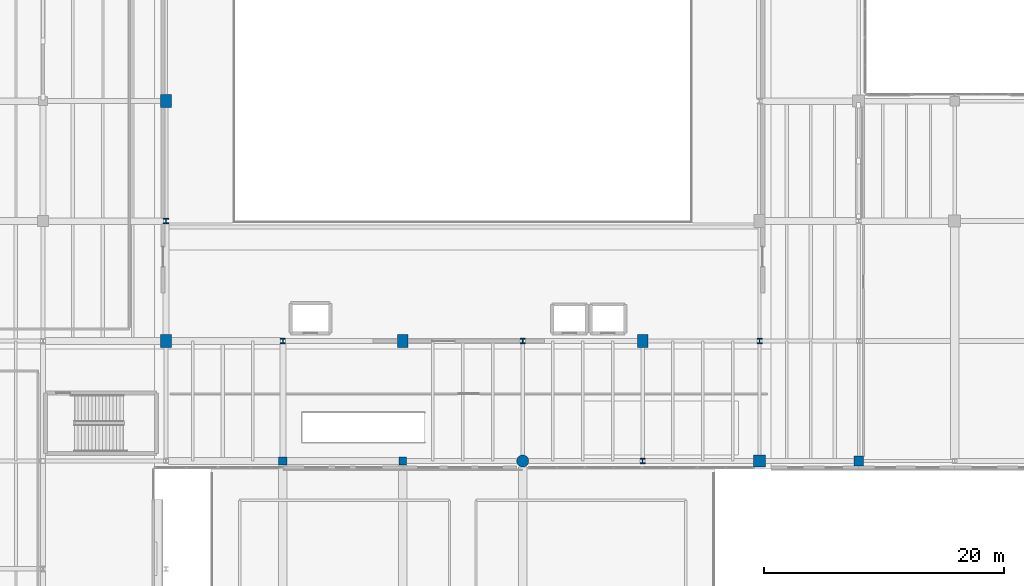
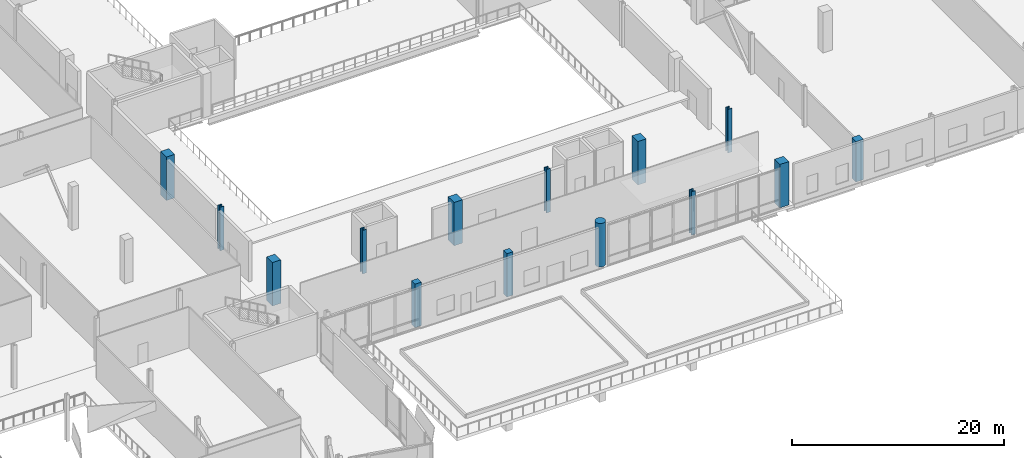
# One storey, part 4 of 60: 14 columns.
"""IFC4 building model written with IfcOpenShell, lengths in metres."""

from ifc_helpers import new_model, si_unit, direction, frame, origin, origin_2d, place, context, subcontext, project, spatial, rectangle, circle, i_section, extrude, material, material_profile, profile_set, type_object, element, save


model = new_model("IFC4")

# Units and contexts
model_context = context("Model", 3, precision=1e-05, world=origin(), true_north=direction((0.0, 1.0)))
body_context = subcontext(model_context, "Body", "Model", "MODEL_VIEW")
ifc_project = project(units=[si_unit("LENGTHUNIT", "METRE"), si_unit("AREAUNIT", "SQUARE_METRE"), si_unit("VOLUMEUNIT", "CUBIC_METRE"), si_unit("PLANEANGLEUNIT", "RADIAN"), si_unit("MASSUNIT", "GRAM", prefix="KILO")], contexts=[model_context])

# Site, building, storey
site_placement = place(None, origin())
site = spatial("IfcSite", under=ifc_project, at=site_placement, CompositionType="ELEMENT")
building_placement = place(site_placement, origin())
building = spatial("IfcBuilding", under=site, at=building_placement, Name="Trimount Lyric Opera House", CompositionType="ELEMENT")
storey_placement = place(building_placement, frame((0.0, 0.0, 15.0)))
storey = spatial("IfcBuildingStorey", under=building, at=storey_placement, Name="L03", CompositionType="ELEMENT", Elevation=15.0)

# Columns
ifc_material_1 = material(Name="Steel ASTM A992 Grade 50", Category="steel")
ifc_material_profile_1 = material_profile(ifc_material_1, i_section(OverallWidth=0.422119140625, OverallDepth=0.465087890625, WebThickness=0.044921875, FlangeThickness=0.072509765625, FilletRadius=0.02001953125, at=origin_2d()), Name="W14X398")
ifc_profile_set_1 = profile_set([ifc_material_profile_1], Name="Steel ASTM A992 Grade 50")
column_type_1 = type_object("IfcColumnType", Name="C-01", PredefinedType="COLUMN", material=ifc_profile_set_1)
for number, where, z_axis, x_axis, name in (
    (1, (64.260009765625, 64.0, 0.0), (0.0, 0.0, 1.0), (1.0, 0.0, 0.0), "L03 column 8/H"),
    (2, (74.0, 54.0, 0.0), (0.0, 0.0, 1.0), (1.0, 0.0, 0.0), "L03 column 9/G"),
    (3, (94.0, 54.0, 0.0), (0.0, 0.0, 1.0), (1.0, 0.0, 0.0), "L03 column 11/G"),
    (4, (113.739990234375, 54.0, 0.0), (0.0, 0.0, 1.0), (1.0, 0.0, 0.0), "L03 column 13/G"),
):
    element("IfcColumn", number, at=place(storey_placement, frame(where, z_axis=z_axis, x_axis=x_axis)), inside=storey, type_object=column_type_1, Name=name, PredefinedType="COLUMN", context=body_context, shape_type="SweptSolid", body=[
        extrude(i_section(OverallWidth=0.422119140625, OverallDepth=0.465087890625, WebThickness=0.044921875, FlangeThickness=0.072509765625, FilletRadius=0.02001953125, at=origin_2d()), origin(), (0.0, 0.0, 1.0), 5.0),
    ])
ifc_material_2 = material(Name="Steel ASTM A992 Grade 50", Category="steel")
ifc_material_profile_2 = material_profile(ifc_material_2, i_section(OverallWidth=0.422119140625, OverallDepth=0.465087890625, WebThickness=0.044921875, FlangeThickness=0.072509765625, FilletRadius=0.02001953125, at=origin_2d()), Name="W14X398")
ifc_profile_set_2 = profile_set([ifc_material_profile_2], Name="Steel ASTM A992 Grade 50")
column_type_2 = type_object("IfcColumnType", Name="C-10", PredefinedType="COLUMN", material=ifc_profile_set_2)
column_1_placement = place(storey_placement, frame((104.0, 44.0, 0.0), z_axis=(0.0, 0.0, 1.0), x_axis=(1.0, 0.0, 0.0)))
element("IfcColumn", 5, at=column_1_placement, inside=storey, type_object=column_type_2, Name="L03 column 12/F", PredefinedType="COLUMN", context=body_context, shape_type="SweptSolid", body=[
    extrude(i_section(OverallWidth=0.422119140625, OverallDepth=0.465087890625, WebThickness=0.044921875, FlangeThickness=0.072509765625, FilletRadius=0.02001953125, at=origin_2d()), origin(), (0.0, 0.0, 1.0), 5.0),
])
ifc_material_3 = material(Name="Concrete C50/60", Category="concrete")
ifc_material_profile_3 = material_profile(ifc_material_3, rectangle(XDim=0.89990234375, YDim=1.10009765625, at=origin_2d()), Name="RC1100X900")
ifc_profile_set_3 = profile_set([ifc_material_profile_3], Name="Concrete C50/60")
column_type_3 = type_object("IfcColumnType", Name="C-11", PredefinedType="COLUMN", material=ifc_profile_set_3)
for number, where, z_axis, x_axis, name in (
    (6, (64.260009765625, 54.0, 0.0), (0.0, 0.0, 1.0), (1.0, 0.0, 0.0), "L03 column 8/G"),
    (7, (64.260009765625, 74.0, 0.0), (0.0, 0.0, 1.0), (1.0, 0.0, 0.0), "L03 column 8/J"),
    (8, (84.0, 54.0, 0.0), (0.0, 0.0, 1.0), (1.0, 0.0, 0.0), "L03 column 10/G"),
    (9, (104.0, 54.0, 0.0), (0.0, 0.0, 1.0), (1.0, 0.0, 0.0), "L03 column 12/G"),
):
    element("IfcColumn", number, at=place(storey_placement, frame(where, z_axis=z_axis, x_axis=x_axis)), inside=storey, type_object=column_type_3, Name=name, PredefinedType="COLUMN", context=body_context, shape_type="SweptSolid", body=[
        extrude(rectangle(XDim=0.89990234375, YDim=1.10009765625, at=origin_2d()), origin(), (0.0, 0.0, 1.0), 5.0),
    ])
ifc_material_4 = material(Name="Concrete C50/60", Category="concrete")
ifc_material_profile_4 = material_profile(ifc_material_4, rectangle(XDim=1.0, YDim=1.0, at=origin_2d()), Name="RC1000X1000")
ifc_profile_set_4 = profile_set([ifc_material_profile_4], Name="Concrete C50/60")
column_type_4 = type_object("IfcColumnType", Name="C-12", PredefinedType="COLUMN", material=ifc_profile_set_4)
column_2_placement = place(storey_placement, frame((113.739990234375, 44.0, 0.0), z_axis=(0.0, 0.0, 1.0), x_axis=(1.0, 0.0, 0.0)))
element("IfcColumn", 10, at=column_2_placement, inside=storey, type_object=column_type_4, Name="L03 column 13/F", PredefinedType="COLUMN", context=body_context, shape_type="SweptSolid", body=[
    extrude(rectangle(XDim=1.0, YDim=1.0, at=origin_2d()), origin(), (0.0, 0.0, 1.0), 5.0),
])
ifc_material_5 = material(Name="Concrete C40/50", Category="concrete")
ifc_material_profile_5 = material_profile(ifc_material_5, rectangle(XDim=0.800048828125, YDim=0.800048828125, at=origin_2d()), Name="RC800X800")
ifc_profile_set_5 = profile_set([ifc_material_profile_5], Name="Concrete C40/50")
column_type_5 = type_object("IfcColumnType", Name="C-14", PredefinedType="COLUMN", material=ifc_profile_set_5)
column_3_placement = place(storey_placement, frame((122.0, 44.0, 0.0), z_axis=(0.0, 0.0, 1.0), x_axis=(1.0, 0.0, 0.0)))
element("IfcColumn", 11, at=column_3_placement, inside=storey, type_object=column_type_5, Name="L03 column 14/F", PredefinedType="COLUMN", context=body_context, shape_type="SweptSolid", body=[
    extrude(rectangle(XDim=0.800048828125, YDim=0.800048828125, at=origin_2d()), origin(), (0.0, 0.0, 1.0), 4.64990234375),
])
ifc_material_6 = material(Name="Concrete C40/50", Category="concrete")
ifc_material_profile_6 = material_profile(ifc_material_6, rectangle(XDim=0.699951171875, YDim=0.699951171875, at=origin_2d()), Name="RC700X700")
ifc_profile_set_6 = profile_set([ifc_material_profile_6], Name="Concrete C40/50")
column_type_6 = type_object("IfcColumnType", Name="C-16", PredefinedType="COLUMN", material=ifc_profile_set_6)
column_4_placement = place(storey_placement, frame((74.0, 44.0, 0.0), z_axis=(0.0, 0.0, 1.0), x_axis=(1.0, 0.0, 0.0)))
element("IfcColumn", 12, at=column_4_placement, inside=storey, type_object=column_type_6, Name="L03 column 9/F", PredefinedType="COLUMN", context=body_context, shape_type="SweptSolid", body=[
    extrude(rectangle(XDim=0.699951171875, YDim=0.699951171875, at=origin_2d()), origin(), (0.0, 0.0, 1.0), 5.0),
])
ifc_material_7 = material(Name="Concrete C40/50", Category="concrete")
ifc_material_profile_7 = material_profile(ifc_material_7, rectangle(XDim=0.64990234375, YDim=0.64990234375, at=origin_2d()), Name="RC650X650")
ifc_profile_set_7 = profile_set([ifc_material_profile_7], Name="Concrete C40/50")
column_type_7 = type_object("IfcColumnType", Name="C-17", PredefinedType="COLUMN", material=ifc_profile_set_7)
column_5_placement = place(storey_placement, frame((84.0, 44.0, 0.0), z_axis=(0.0, 0.0, 1.0), x_axis=(1.0, 0.0, 0.0)))
element("IfcColumn", 13, at=column_5_placement, inside=storey, type_object=column_type_7, Name="L03 column 10/F", PredefinedType="COLUMN", context=body_context, shape_type="SweptSolid", body=[
    extrude(rectangle(XDim=0.64990234375, YDim=0.64990234375, at=origin_2d()), origin(), (0.0, 0.0, 1.0), 5.0),
])
ifc_material_8 = material(Name="Concrete C50/60", Category="concrete")
ifc_material_profile_8 = material_profile(ifc_material_8, circle(Radius=0.5, at=origin_2d()), Name="RC-D1000")
ifc_profile_set_8 = profile_set([ifc_material_profile_8], Name="Concrete C50/60")
column_type_8 = type_object("IfcColumnType", Name="C-18", PredefinedType="COLUMN", material=ifc_profile_set_8)
column_6_placement = place(storey_placement, frame((94.0, 44.0, 0.0), z_axis=(0.0, 0.0, 1.0), x_axis=(1.0, 0.0, 0.0)))
element("IfcColumn", 14, at=column_6_placement, inside=storey, type_object=column_type_8, Name="L03 column 11/F", PredefinedType="COLUMN", context=body_context, shape_type="SweptSolid", body=[
    extrude(circle(Radius=0.5, at=origin_2d()), origin(), (0.0, 0.0, 1.0), 5.0),
])

save(model, "model.ifc")
